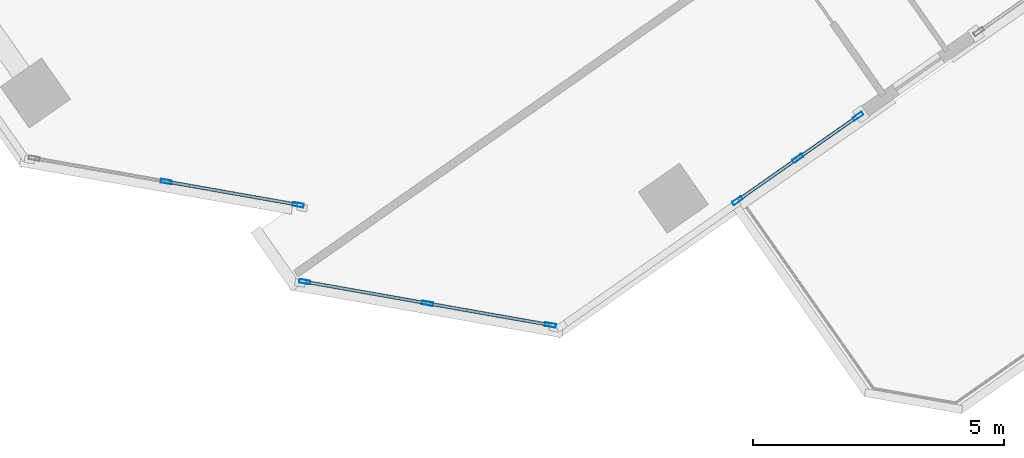
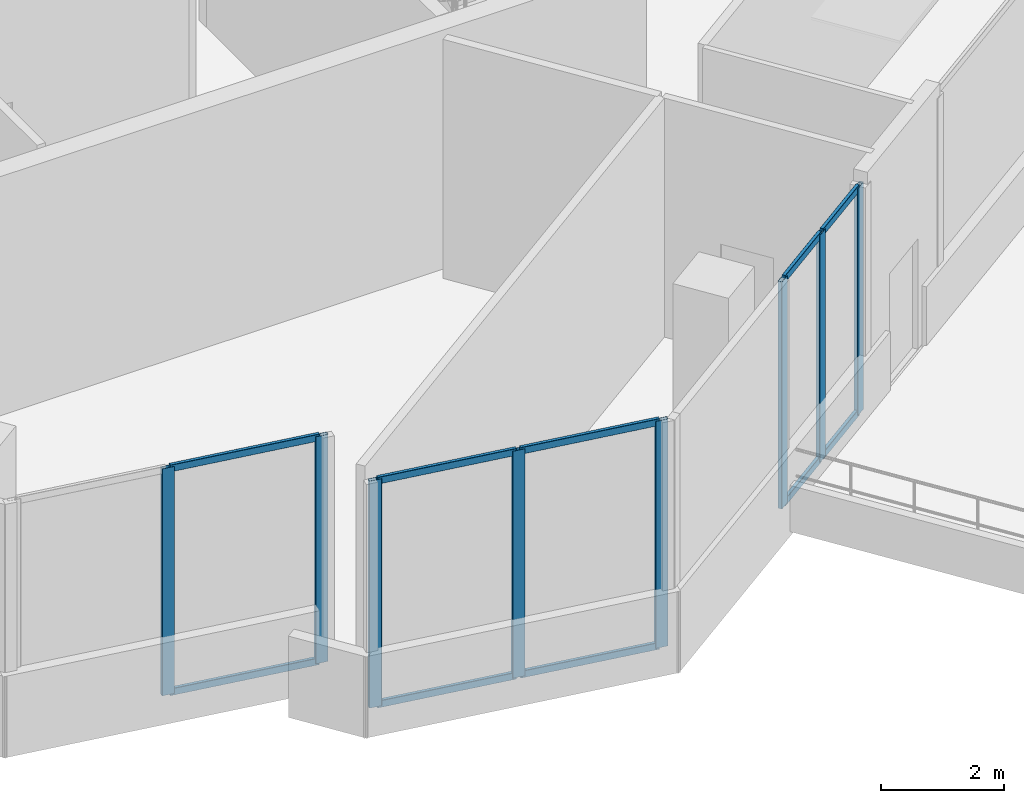
# One storey, part 3 of 16: 18 members, 3 elements without a shape of their own.
"""IFC4 building model written with IfcOpenShell, lengths in metres."""

from ifc_helpers import new_model, si_unit, direction, frame, origin, origin_2d, place, context, subcontext, project, spatial, hollow_rectangle, extrude, source, transform, mapped, material, material_profile, profile_set, type_object, element, aggregate, save


model = new_model("IFC4")

# Units and contexts
model_context = context("Model", 3, precision=1e-05, world=origin(), true_north=direction((0.0, 1.0)))
body_context = subcontext(model_context, "Body", "Model", "MODEL_VIEW")
ifc_project = project(units=[si_unit("LENGTHUNIT", "METRE"), si_unit("AREAUNIT", "SQUARE_METRE"), si_unit("VOLUMEUNIT", "CUBIC_METRE"), si_unit("PLANEANGLEUNIT", "RADIAN"), si_unit("MASSUNIT", "GRAM", prefix="KILO")], contexts=[model_context])

# Site, building, storey
site_placement = place(None, origin())
site = spatial("IfcSite", under=ifc_project, at=site_placement, CompositionType="ELEMENT")
building_placement = place(site_placement, origin())
building = spatial("IfcBuilding", under=site, at=building_placement, Name="Torre Montelarca", CompositionType="ELEMENT")
storey_placement = place(building_placement, frame((0.0, 0.0, 293.800048828125)))
storey = spatial("IfcBuildingStorey", under=building, at=storey_placement, Name="L66", CompositionType="ELEMENT", Elevation=293.800048828125)

# Curtain wall, members
ifc_material_1 = material(Name="Insulated low-E laminated glass", Category="glass")
curtain_wall_type = type_object("IfcCurtainWallType", Name="CW-SYS-Z4", PredefinedType="USERDEFINED", material=ifc_material_1)
curtain_wall_1_placement = place(storey_placement, origin())
curtain_wall_1 = element("IfcCurtainWall", 1, at=curtain_wall_1_placement, inside=storey, type_object=curtain_wall_type, Name="L66 Curtain Wall Run CW-T3-L66-E02-B1", ObjectType="UNITISED GLAZING", PredefinedType="USERDEFINED")
ifc_material_2 = material(Name="Anodised aluminium AA 6063-T6", Category="aluminium")
ifc_material_profile_1 = material_profile(ifc_material_2, hollow_rectangle(XDim=0.06494140625, YDim=0.139892578125, WallThickness=0.00390625, InnerFilletRadius=0.00390625, OuterFilletRadius=0.008056640625, at=origin_2d()), Name="ALU65X140X4", Category="aluminium")
ifc_profile_set_1 = profile_set([ifc_material_profile_1], Name="Anodised aluminium AA 6063-T6")
member_type_1 = type_object("IfcMemberType", Name="CWT-ALU140", PredefinedType="USERDEFINED", material=ifc_profile_set_1)
shared_shape_1 = source(origin(), body_context, "Body", "SweptSolid", [
    extrude(hollow_rectangle(XDim=0.06494140625, YDim=0.139892578125, WallThickness=0.00390625, InnerFilletRadius=0.00390625, OuterFilletRadius=0.008056640625, at=origin_2d()), origin(), (0.0, 0.0, 1.0), 2.59228515625),
])
member_1_placement = place(storey_placement, frame((13.20654296875, 15.859375, 0.032470703125), z_axis=(0.984805357071, -0.173661765175, 0.0), x_axis=(0.173661765175, 0.984805357071, 0.0)))
member_1 = element("IfcMember", 2, at=member_1_placement, type_object=member_type_1, Name="CW transom 2.1", ObjectType="TRANSOM", PredefinedType="USERDEFINED", context=body_context, shape_type="MappedRepresentation", body=[
    mapped(shared_shape_1, transform((0.0, 0.0, 0.0), scale=1.0)),
])
member_2_placement = place(storey_placement, frame((13.20654296875, 15.859375, 4.487548828125), z_axis=(0.984805357071, -0.173661765175, 0.0), x_axis=(0.173661765175, 0.984805357071, 0.0)))
member_2 = element("IfcMember", 3, at=member_2_placement, type_object=member_type_1, Name="CW transom 2.2", ObjectType="TRANSOM", PredefinedType="USERDEFINED", context=body_context, shape_type="MappedRepresentation", body=[
    mapped(shared_shape_1, transform((0.0, 0.0, 0.0), scale=1.0)),
])
ifc_material_profile_2 = material_profile(ifc_material_2, hollow_rectangle(XDim=0.074951171875, YDim=0.219970703125, WallThickness=0.0048828125, InnerFilletRadius=0.0048828125, OuterFilletRadius=0.010009765625, at=origin_2d()), Name="ALU75X220X5", Category="aluminium")
ifc_profile_set_2 = profile_set([ifc_material_profile_2], Name="Anodised aluminium AA 6063-T6")
member_type_2 = type_object("IfcMemberType", Name="CWM-ALU220", PredefinedType="MULLION", material=ifc_profile_set_2)
shared_shape_2 = source(origin(), body_context, "Body", "SweptSolid", [
    extrude(hollow_rectangle(XDim=0.074951171875, YDim=0.219970703125, WallThickness=0.0048828125, InnerFilletRadius=0.0048828125, OuterFilletRadius=0.010009765625, at=origin_2d()), origin(), (0.0, 0.0, 1.0), 4.52001953125),
])
member_3_placement = place(storey_placement, frame((13.16943359375, 15.865966796875, 0.0), z_axis=(0.0, 0.0, 1.0), x_axis=(0.17364192333, 0.9848088558, 0.0)))
member_3 = element("IfcMember", 4, at=member_3_placement, type_object=member_type_2, Name="CW mullion 2", PredefinedType="MULLION", context=body_context, shape_type="MappedRepresentation", body=[
    mapped(shared_shape_2, transform((0.0, 0.0, 0.0), scale=1.0)),
])
member_4_placement = place(storey_placement, frame((15.79638671875, 15.40283203125, 0.0), z_axis=(0.0, 0.0, 1.0), x_axis=(0.17364192333, 0.9848088558, 0.0)))
member_4 = element("IfcMember", 5, at=member_4_placement, type_object=member_type_2, Name="CW mullion 3", PredefinedType="MULLION", context=body_context, shape_type="MappedRepresentation", body=[
    mapped(shared_shape_2, transform((0.0, 0.0, 0.0), scale=1.0)),
])
aggregate(curtain_wall_1, [member_3, member_4, member_1, member_2])

curtain_wall_2_placement = place(storey_placement, origin())
curtain_wall_2 = element("IfcCurtainWall", 6, at=curtain_wall_2_placement, inside=storey, type_object=curtain_wall_type, Name="L66 Curtain Wall Run CW-T3-L66-E05-B1", ObjectType="UNITISED GLAZING", PredefinedType="USERDEFINED")
member_5_placement = place(storey_placement, frame((15.92529296875, 13.8720703125, 0.0), z_axis=(0.0, 0.0, 1.0), x_axis=(0.173634856638, 0.984810101776, 0.0)))
member_5 = element("IfcMember", 7, at=member_5_placement, type_object=member_type_2, Name="CW mullion 1", PredefinedType="MULLION", context=body_context, shape_type="MappedRepresentation", body=[
    mapped(shared_shape_2, transform((0.0, 0.0, 0.0), scale=1.0)),
])
member_6_placement = place(storey_placement, frame((18.37109375, 13.44091796875, 0.0), z_axis=(0.0, 0.0, 1.0), x_axis=(0.173634856638, 0.984810101776, 0.0)))
member_6 = element("IfcMember", 8, at=member_6_placement, type_object=member_type_2, Name="CW mullion 2", PredefinedType="MULLION", context=body_context, shape_type="MappedRepresentation", body=[
    mapped(shared_shape_2, transform((0.0, 0.0, 0.0), scale=1.0)),
])
member_7_placement = place(storey_placement, frame((20.81689453125, 13.009765625, 0.0), z_axis=(0.0, 0.0, 1.0), x_axis=(0.173634856638, 0.984810101776, 0.0)))
member_7 = element("IfcMember", 9, at=member_7_placement, type_object=member_type_2, Name="CW mullion 3", PredefinedType="MULLION", context=body_context, shape_type="MappedRepresentation", body=[
    mapped(shared_shape_2, transform((0.0, 0.0, 0.0), scale=1.0)),
])

curtain_wall_3_placement = place(storey_placement, origin())
curtain_wall_3 = element("IfcCurtainWall", 10, at=curtain_wall_3_placement, inside=storey, type_object=curtain_wall_type, Name="L66 Curtain Wall Run CW-T3-L66-E06-B1", ObjectType="UNITISED GLAZING", PredefinedType="USERDEFINED")
member_8_placement = place(storey_placement, frame((24.538818359375, 15.486572265625, 0.0), z_axis=(0.0, 0.0, 1.0), x_axis=(-0.573565050859, 0.819160016378, 0.0)))
member_8 = element("IfcMember", 11, at=member_8_placement, type_object=member_type_2, Name="CW mullion 1", PredefinedType="MULLION", context=body_context, shape_type="MappedRepresentation", body=[
    mapped(shared_shape_2, transform((0.0, 0.0, 0.0), scale=1.0)),
])
member_9_placement = place(storey_placement, frame((25.739013671875, 16.3271484375, 0.0), z_axis=(0.0, 0.0, 1.0), x_axis=(-0.573565050859, 0.819160016378, 0.0)))
member_9 = element("IfcMember", 12, at=member_9_placement, type_object=member_type_2, Name="CW mullion 2", PredefinedType="MULLION", context=body_context, shape_type="MappedRepresentation", body=[
    mapped(shared_shape_2, transform((0.0, 0.0, 0.0), scale=1.0)),
])
member_10_placement = place(storey_placement, frame((26.939453125, 17.16748046875, 0.0), z_axis=(0.0, 0.0, 1.0), x_axis=(-0.573565050859, 0.819160016378, 0.0)))
member_10 = element("IfcMember", 13, at=member_10_placement, type_object=member_type_2, Name="CW mullion 3", PredefinedType="MULLION", context=body_context, shape_type="MappedRepresentation", body=[
    mapped(shared_shape_2, transform((0.0, 0.0, 0.0), scale=1.0)),
])

# Member
shared_shape_3 = source(origin(), body_context, "Body", "SweptSolid", [
    extrude(hollow_rectangle(XDim=0.06494140625, YDim=0.139892578125, WallThickness=0.00390625, InnerFilletRadius=0.00390625, OuterFilletRadius=0.008056640625, at=origin_2d()), origin(), (0.0, 0.0, 1.0), 2.40869140625),
])
member_11_placement = place(storey_placement, frame((15.962158203125, 13.86572265625, 0.032470703125), z_axis=(0.984811097241, -0.173629210537, 0.0), x_axis=(0.173629210537, 0.984811097241, 0.0)))
member_11 = element("IfcMember", 14, at=member_11_placement, type_object=member_type_1, Name="CW transom 1.1", ObjectType="TRANSOM", PredefinedType="USERDEFINED", context=body_context, shape_type="MappedRepresentation", body=[
    mapped(shared_shape_3, transform((0.0, 0.0, 0.0), scale=1.0)),
])

member_12_placement = place(storey_placement, frame((15.962158203125, 13.86572265625, 4.487548828125), z_axis=(0.984811097241, -0.173629210537, 0.0), x_axis=(0.173629210537, 0.984811097241, 0.0)))
member_12 = element("IfcMember", 15, at=member_12_placement, type_object=member_type_1, Name="CW transom 1.2", ObjectType="TRANSOM", PredefinedType="USERDEFINED", context=body_context, shape_type="MappedRepresentation", body=[
    mapped(shared_shape_3, transform((0.0, 0.0, 0.0), scale=1.0)),
])

member_13_placement = place(storey_placement, frame((18.407958984375, 13.434326171875, 0.032470703125), z_axis=(0.984811097241, -0.173629210537, 0.0), x_axis=(0.173629210537, 0.984811097241, 0.0)))
member_13 = element("IfcMember", 16, at=member_13_placement, type_object=member_type_1, Name="CW transom 2.1", ObjectType="TRANSOM", PredefinedType="USERDEFINED", context=body_context, shape_type="MappedRepresentation", body=[
    mapped(shared_shape_3, transform((0.0, 0.0, 0.0), scale=1.0)),
])

member_14_placement = place(storey_placement, frame((18.407958984375, 13.434326171875, 4.487548828125), z_axis=(0.984811097241, -0.173629210537, 0.0), x_axis=(0.173629210537, 0.984811097241, 0.0)))
member_14 = element("IfcMember", 17, at=member_14_placement, type_object=member_type_1, Name="CW transom 2.2", ObjectType="TRANSOM", PredefinedType="USERDEFINED", context=body_context, shape_type="MappedRepresentation", body=[
    mapped(shared_shape_3, transform((0.0, 0.0, 0.0), scale=1.0)),
])

aggregate(curtain_wall_2, [member_5, member_6, member_7, member_11, member_12, member_13, member_14])

shared_shape_4 = source(origin(), body_context, "Body", "SweptSolid", [
    extrude(hollow_rectangle(XDim=0.06494140625, YDim=0.139892578125, WallThickness=0.00390625, InnerFilletRadius=0.00390625, OuterFilletRadius=0.008056640625, at=origin_2d()), origin(), (0.0, 0.0, 1.0), 1.390625),
])
member_15_placement = place(storey_placement, frame((24.5693359375, 15.508056640625, 0.032470703125), z_axis=(0.819165932575, 0.573556601312, 0.0), x_axis=(-0.573556601312, 0.819165932575, 0.0)))
member_15 = element("IfcMember", 18, at=member_15_placement, type_object=member_type_1, Name="CW transom 1.1", ObjectType="TRANSOM", PredefinedType="USERDEFINED", context=body_context, shape_type="MappedRepresentation", body=[
    mapped(shared_shape_4, transform((0.0, 0.0, 0.0), scale=1.0)),
])

member_16_placement = place(storey_placement, frame((24.5693359375, 15.508056640625, 4.487548828125), z_axis=(0.819165932575, 0.573556601312, 0.0), x_axis=(-0.573556601312, 0.819165932575, 0.0)))
member_16 = element("IfcMember", 19, at=member_16_placement, type_object=member_type_1, Name="CW transom 1.2", ObjectType="TRANSOM", PredefinedType="USERDEFINED", context=body_context, shape_type="MappedRepresentation", body=[
    mapped(shared_shape_4, transform((0.0, 0.0, 0.0), scale=1.0)),
])

shared_shape_5 = source(origin(), body_context, "Body", "SweptSolid", [
    extrude(hollow_rectangle(XDim=0.06494140625, YDim=0.139892578125, WallThickness=0.00390625, InnerFilletRadius=0.00390625, OuterFilletRadius=0.008056640625, at=origin_2d()), origin(), (0.0, 0.0, 1.0), 1.390380859375),
])
member_17_placement = place(storey_placement, frame((25.769775390625, 16.3486328125, 0.032470703125), z_axis=(0.819190669238, 0.573521270253, 0.0), x_axis=(-0.573521270253, 0.819190669238, 0.0)))
member_17 = element("IfcMember", 20, at=member_17_placement, type_object=member_type_1, Name="CW transom 2.1", ObjectType="TRANSOM", PredefinedType="USERDEFINED", context=body_context, shape_type="MappedRepresentation", body=[
    mapped(shared_shape_5, transform((0.0, 0.0, 0.0), scale=1.0)),
])

member_18_placement = place(storey_placement, frame((25.769775390625, 16.3486328125, 4.487548828125), z_axis=(0.819190669238, 0.573521270253, 0.0), x_axis=(-0.573521270253, 0.819190669238, 0.0)))
member_18 = element("IfcMember", 21, at=member_18_placement, type_object=member_type_1, Name="CW transom 2.2", ObjectType="TRANSOM", PredefinedType="USERDEFINED", context=body_context, shape_type="MappedRepresentation", body=[
    mapped(shared_shape_5, transform((0.0, 0.0, 0.0), scale=1.0)),
])

aggregate(curtain_wall_3, [member_8, member_9, member_10, member_15, member_16, member_17, member_18])

save(model, "model.ifc")
